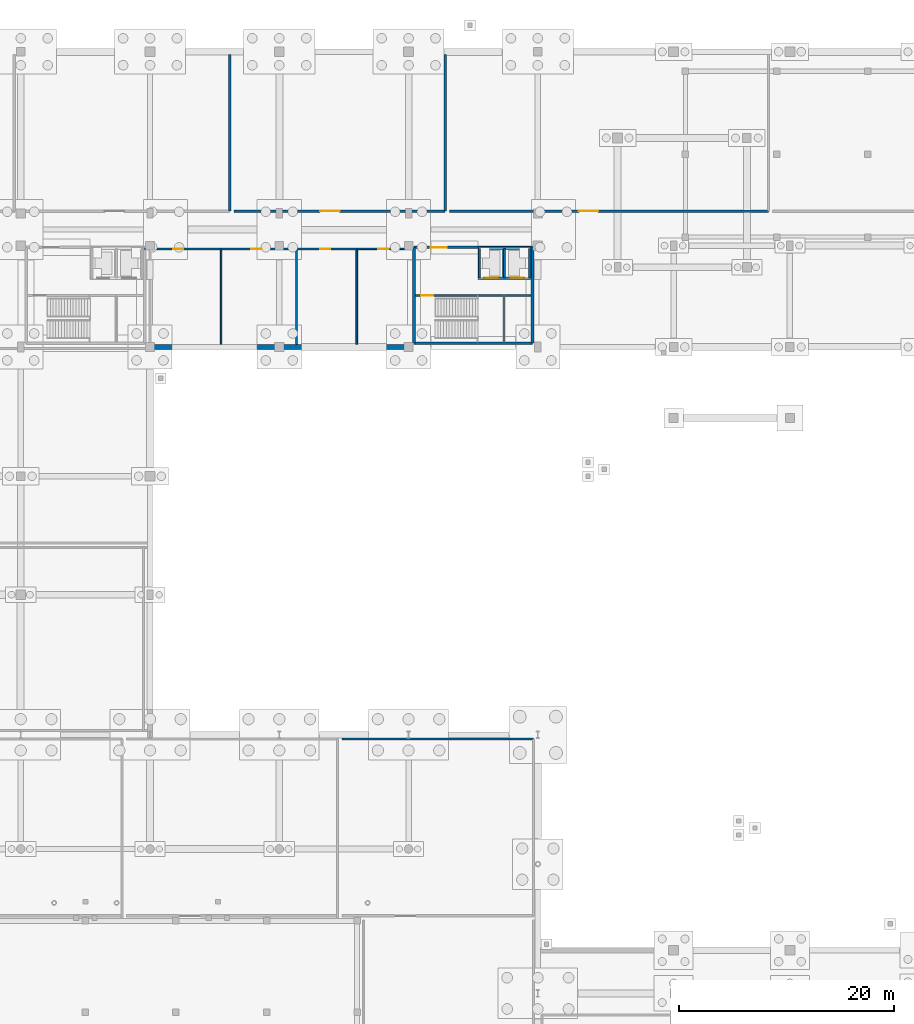
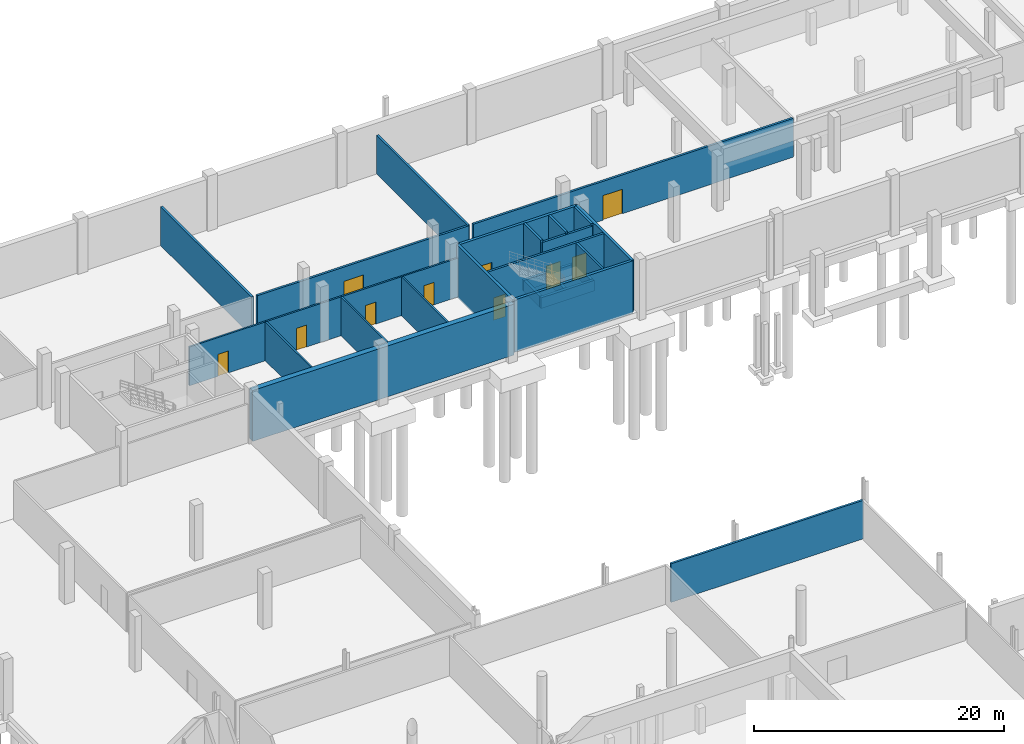
# One storey, part 31 of 42: 28 walls, 10 doors, 10 openings.
"""IFC4 building model written with IfcOpenShell, lengths in metres."""

from ifc_helpers import new_model, si_unit, direction, frame, frame_2d, origin, place, context, subcontext, project, spatial, rectangle, extrude, material, layer, layer_set, type_object, element, fill, save


model = new_model("IFC4")

# Units and contexts
model_context = context("Model", 3, precision=1e-05, world=origin(), true_north=direction((0.0, 1.0)))
body_context = subcontext(model_context, "Body", "Model", "MODEL_VIEW")
ifc_project = project(units=[si_unit("LENGTHUNIT", "METRE"), si_unit("AREAUNIT", "SQUARE_METRE"), si_unit("VOLUMEUNIT", "CUBIC_METRE"), si_unit("PLANEANGLEUNIT", "RADIAN"), si_unit("MASSUNIT", "GRAM", prefix="KILO"), si_unit("THERMODYNAMICTEMPERATUREUNIT", "KELVIN"), si_unit("POWERUNIT", "WATT")], contexts=[model_context])

# Site, building, storey
site_placement = place(None, origin())
site = spatial("IfcSite", under=ifc_project, at=site_placement, CompositionType="ELEMENT")
building_placement = place(site_placement, origin())
building = spatial("IfcBuilding", under=site, at=building_placement, Name="Solmara Park Aquatics Centre", CompositionType="ELEMENT")
storey_placement = place(building_placement, frame((0.0, 0.0, -5.39990234375)))
storey = spatial("IfcBuildingStorey", under=building, at=storey_placement, Name="B1", CompositionType="ELEMENT", Elevation=-5.39990234375)

# Wall
ifc_material_1 = material(Name="Concrete C40/50", Category="concrete")
ifc_layer_1 = layer(ifc_material_1, 0.25, Name="Concrete C40/50")
ifc_layer_set_1 = layer_set([ifc_layer_1], Name="Concrete C40/50")
wall_type_1 = type_object("IfcWallType", Name="ARC-WL-CORE250", PredefinedType="SHEAR", material=ifc_layer_set_1)
wall_1_placement = place(storey_placement, frame((85.10009765625, 108.949951171875, -0.150146484375), z_axis=(0.0, 0.0, 1.0), x_axis=(1.0, 0.0, 0.0)))
element("IfcWall", 1, at=wall_1_placement, inside=storey, type_object=wall_type_1, Name="CORE-2 Core Wall S B1", PredefinedType="SHEAR", context=body_context, shape_type="SweptSolid", body=[
    extrude(rectangle(XDim=11.0, YDim=0.25, at=frame_2d((5.5, 0.0))), origin(), (0.0, 0.0, 1.0), 5.130126953125),
])

# Wall, opening, door
wall_2_placement = place(storey_placement, frame((85.10009765625, 117.85009765625, -0.150146484375), z_axis=(0.0, 0.0, 1.0), x_axis=(1.0, 0.0, 0.0)))
wall_2 = element("IfcWall", 2, at=wall_2_placement, inside=storey, type_object=wall_type_1, Name="CORE-2 Core Wall N B1", PredefinedType="SHEAR", context=body_context, shape_type="SweptSolid", body=[
    extrude(rectangle(XDim=11.0, YDim=0.25, at=frame_2d((5.5, 0.0))), origin(), (0.0, 0.0, 1.0), 5.130126953125),
])
opening_1_placement = place(wall_2_placement, frame((1.550048828125, 0.0, 0.14990234375)))
opening_1 = element("IfcOpeningElement", 3, at=opening_1_placement, cuts=wall_2, Name="Opening D-12", PredefinedType="OPENING", context=body_context, shape_type="SweptSolid", body=[
    extrude(rectangle(XDim=1.5, YDim=2.199951171875, at=frame_2d((0.75, 1.10009765625))), frame((0.0, 0.135009765625, 0.0), z_axis=(0.0, -1.0, 0.0), x_axis=(1.0, 0.0, 0.0)), (0.0, 0.0, 1.0), 0.27001953125),
])
ifc_material_2 = material(Name="Moisture-Resistant HPL & Hardwood", Category="wood")
door_type_1 = type_object("IfcDoorType", Name="ARC-DR-FD150x220", OperationType="DOUBLE_DOOR_SINGLE_SWING", PredefinedType="DOOR", material=ifc_material_2)
door_1_placement = place(opening_1_placement, origin())
door_1 = element("IfcDoor", 4, at=door_1_placement, inside=storey, type_object=door_type_1, Name="CORE-2 Lobby Entry Fire Door B1", OperationType="DOUBLE_DOOR_SINGLE_SWING", OverallHeight=2.199951171875, OverallWidth=1.5, PredefinedType="DOOR", context=body_context, shape_type="SweptSolid", body=[
    extrude(rectangle(XDim=1.5, YDim=2.199951171875, at=frame_2d((0.75, 1.10009765625))), frame((0.0, 0.02490234375, 0.0), z_axis=(0.0, -1.0, 0.0), x_axis=(1.0, 0.0, 0.0)), (0.0, 0.0, 1.0), 0.050048828125),
])
fill(opening_1, door_1)

# Walls
for number, where, z_axis, x_axis, name in (
    (5, (85.10009765625, 108.949951171875, -0.150146484375), (0.0, 0.0, 1.0), (0.0, 1.0, 0.0), "CORE-2 Core Wall W B1"),
    (6, (96.10009765625, 108.949951171875, -0.150146484375), (0.0, 0.0, 1.0), (0.0, 1.0, 0.0), "CORE-2 Core Wall E B1"),
):
    element("IfcWall", number, at=place(storey_placement, frame(where, z_axis=z_axis, x_axis=x_axis)), inside=storey, type_object=wall_type_1, Name=name, PredefinedType="SHEAR", context=body_context, shape_type="SweptSolid", body=[
        extrude(rectangle(XDim=8.900146484375, YDim=0.25, at=frame_2d((4.4501953125, 0.0))), origin(), (0.0, 0.0, 1.0), 5.130126953125),
    ])

# Wall, openings, doors
ifc_material_3 = material(Name="Concrete C25/30 Autoclaved Aerated Fire Blockwork", Category="masonry")
ifc_layer_2 = layer(ifc_material_3, 0.199951171875, Name="Concrete C25/30 Autoclaved Aerated Fire Blockwork")
ifc_layer_set_2 = layer_set([ifc_layer_2], Name="Concrete C25/30 Autoclaved Aerated Fire Blockwork")
wall_type_2 = type_object("IfcWallType", Name="ARC-WL-FIRE200", PredefinedType="SOLIDWALL", material=ifc_layer_set_2)
wall_3_placement = place(storey_placement, frame((91.199951171875, 115.0, -0.150146484375), z_axis=(0.0, 0.0, 1.0), x_axis=(1.0, 0.0, 0.0)))
wall_3 = element("IfcWall", 7, at=wall_3_placement, inside=storey, type_object=wall_type_2, Name="CORE-2 Lift Shaft Front Wall B1", PredefinedType="SOLIDWALL", context=body_context, shape_type="SweptSolid", body=[
    extrude(rectangle(XDim=4.650146484375, YDim=0.199951171875, at=frame_2d((2.3251953125, 0.0))), origin(), (0.0, 0.0, 1.0), 4.929931640625),
])
opening_2_placement = place(wall_3_placement, frame((2.824951171875, 0.0, 0.14990234375)))
opening_2 = element("IfcOpeningElement", 8, at=opening_2_placement, cuts=wall_3, Name="Opening D-10", PredefinedType="OPENING", context=body_context, shape_type="SweptSolid", body=[
    extrude(rectangle(XDim=1.300048828125, YDim=2.300048828125, at=frame_2d((0.64990234375, 1.14990234375))), frame((0.0, 0.10986328125, 0.0), z_axis=(0.0, -1.0, 0.0), x_axis=(1.0, 0.0, 0.0)), (0.0, 0.0, 1.0), 0.219970703125),
])
opening_3_placement = place(wall_3_placement, frame((0.425048828125, 0.0, 0.14990234375)))
opening_3 = element("IfcOpeningElement", 9, at=opening_3_placement, cuts=wall_3, Name="Opening D-10", PredefinedType="OPENING", context=body_context, shape_type="SweptSolid", body=[
    extrude(rectangle(XDim=1.300048828125, YDim=2.300048828125, at=frame_2d((0.64990234375, 1.14990234375))), frame((0.0, 0.10986328125, 0.0), z_axis=(0.0, -1.0, 0.0), x_axis=(1.0, 0.0, 0.0)), (0.0, 0.0, 1.0), 0.219970703125),
])
ifc_material_4 = material(Name="Stainless Steel", Category="steel")
door_type_2 = type_object("IfcDoorType", Name="ARC-DR-LD130x230", OperationType="DOUBLE_DOOR_SLIDING", PredefinedType="DOOR", material=ifc_material_4)
door_2_placement = place(opening_2_placement, frame((1.300048828125, 0.0, 0.0), z_axis=(0.0, 0.0, 1.0), x_axis=(-1.0, 0.0, 0.0)))
door_2 = element("IfcDoor", 10, at=door_2_placement, inside=storey, type_object=door_type_2, Name="LF-03 Lift Landing Door B1", OperationType="DOUBLE_DOOR_SLIDING", OverallHeight=2.300048828125, OverallWidth=1.300048828125, PredefinedType="DOOR", context=body_context, shape_type="SweptSolid", body=[
    extrude(rectangle(XDim=1.300048828125, YDim=2.300048828125, at=frame_2d((0.64990234375, 1.14990234375))), frame((0.0, 0.02490234375, 0.0), z_axis=(0.0, -1.0, 0.0), x_axis=(1.0, 0.0, 0.0)), (0.0, 0.0, 1.0), 0.050048828125),
])
fill(opening_2, door_2)
door_3_placement = place(opening_3_placement, frame((1.300048828125, 0.0, 0.0), z_axis=(0.0, 0.0, 1.0), x_axis=(-1.0, 0.0, 0.0)))
door_3 = element("IfcDoor", 11, at=door_3_placement, inside=storey, type_object=door_type_2, Name="LF-04 Lift Landing Door B1", OperationType="DOUBLE_DOOR_SLIDING", OverallHeight=2.300048828125, OverallWidth=1.300048828125, PredefinedType="DOOR", context=body_context, shape_type="SweptSolid", body=[
    extrude(rectangle(XDim=1.300048828125, YDim=2.300048828125, at=frame_2d((0.64990234375, 1.14990234375))), frame((0.0, 0.02490234375, 0.0), z_axis=(0.0, -1.0, 0.0), x_axis=(1.0, 0.0, 0.0)), (0.0, 0.0, 1.0), 0.050048828125),
])
fill(opening_3, door_3)

# Walls
for number, where, z_axis, x_axis, name in (
    (12, (93.5, 115.0, -0.150146484375), (0.0, 0.0, 1.0), (0.0, 1.0, 0.0), "LF-03 Lift Shaft W Wall B1"),
    (13, (95.85009765625, 115.0, -0.150146484375), (0.0, 0.0, 1.0), (0.0, 1.0, 0.0), "LF-03 Lift Shaft E Wall B1"),
    (14, (91.199951171875, 115.0, -0.150146484375), (0.0, 0.0, 1.0), (0.0, 1.0, 0.0), "LF-04 Lift Shaft W Wall B1"),
):
    element("IfcWall", number, at=place(storey_placement, frame(where, z_axis=z_axis, x_axis=x_axis)), inside=storey, type_object=wall_type_2, Name=name, PredefinedType="SOLIDWALL", context=body_context, shape_type="SweptSolid", body=[
        extrude(rectangle(XDim=2.75, YDim=0.199951171875, at=frame_2d((1.375, 0.0))), origin(), (0.0, 0.0, 1.0), 5.130126953125),
    ])
wall_4_placement = place(storey_placement, frame((78.39990234375, 72.199951171875, 0.0), z_axis=(0.0, 0.0, 1.0), x_axis=(1.0, 0.0, 0.0)))
element("IfcWall", 15, at=wall_4_placement, inside=storey, type_object=wall_type_2, Name="Interior Partition IW-B1-0010 (B1-PLT-03)", PredefinedType="SOLIDWALL", context=body_context, shape_type="SweptSolid", body=[
    extrude(rectangle(XDim=17.800048828125, YDim=0.199951171875, at=frame_2d((8.89990234375, 0.0))), origin(), (0.0, 0.0, 1.0), 3.77978515625),
])
wall_5_placement = place(storey_placement, frame((68.0, 121.199951171875, 0.0), z_axis=(0.0, 0.0, 1.0), x_axis=(0.0, 1.0, 0.0)))
element("IfcWall", 16, at=wall_5_placement, inside=storey, type_object=wall_type_2, Name="Interior Partition IW-B1-0035 (B1-GEN-01)", PredefinedType="SOLIDWALL", context=body_context, shape_type="SweptSolid", body=[
    extrude(rectangle(XDim=14.550048828125, YDim=0.199951171875, at=frame_2d((7.27490234375, 0.0))), origin(), (0.0, 0.0, 1.0), 3.7998046875),
])

# Wall, opening, door
wall_6_placement = place(storey_placement, frame((68.39990234375, 121.199951171875, 0.0), z_axis=(0.0, 0.0, 1.0), x_axis=(1.0, 0.0, 0.0)))
wall_6 = element("IfcWall", 17, at=wall_6_placement, inside=storey, type_object=wall_type_2, Name="Interior Partition IW-B1-0036 (B1-FIR-01)", PredefinedType="SOLIDWALL", context=body_context, shape_type="SweptSolid", body=[
    extrude(rectangle(XDim=19.60009765625, YDim=0.199951171875, at=frame_2d((9.800048828125, 0.0))), origin(), (0.0, 0.0, 1.0), 3.7998046875),
])
opening_4_placement = place(wall_6_placement, frame((8.0, 0.0, 0.0)))
opening_4 = element("IfcOpeningElement", 18, at=opening_4_placement, cuts=wall_6, Name="Opening D-14", PredefinedType="OPENING", context=body_context, shape_type="SweptSolid", body=[
    extrude(rectangle(XDim=1.800048828125, YDim=2.39990234375, at=frame_2d((0.89990234375, 1.199951171875))), frame((0.0, 0.10986328125, 0.0), z_axis=(0.0, -1.0, 0.0), x_axis=(1.0, 0.0, 0.0)), (0.0, 0.0, 1.0), 0.219970703125),
])
door_type_3 = type_object("IfcDoorType", Name="ARC-DR-PLT180x240", OperationType="DOUBLE_DOOR_SINGLE_SWING", PredefinedType="DOOR", material=ifc_material_4)
door_4_placement = place(opening_4_placement, frame((1.800048828125, 0.0, 0.0), z_axis=(0.0, 0.0, 1.0), x_axis=(-1.0, 0.0, 0.0)))
door_4 = element("IfcDoor", 19, at=door_4_placement, inside=storey, type_object=door_type_3, Name="Fire Sprinkler Tank, Electric/Diesel Fire Pump Room Door", OperationType="DOUBLE_DOOR_SINGLE_SWING", OverallHeight=2.39990234375, OverallWidth=1.800048828125, PredefinedType="DOOR", context=body_context, shape_type="SweptSolid", body=[
    extrude(rectangle(XDim=1.800048828125, YDim=2.39990234375, at=frame_2d((0.89990234375, 1.199951171875))), frame((0.0, 0.02490234375, 0.0), z_axis=(0.0, -1.0, 0.0), x_axis=(1.0, 0.0, 0.0)), (0.0, 0.0, 1.0), 0.050048828125),
])
fill(opening_4, door_4)

# Wall
wall_7_placement = place(storey_placement, frame((88.0, 121.199951171875, 0.0), z_axis=(0.0, 0.0, 1.0), x_axis=(0.0, 1.0, 0.0)))
element("IfcWall", 20, at=wall_7_placement, inside=storey, type_object=wall_type_2, Name="Interior Partition IW-B1-0037 (B1-FIR-01)", PredefinedType="SOLIDWALL", context=body_context, shape_type="SweptSolid", body=[
    extrude(rectangle(XDim=14.550048828125, YDim=0.199951171875, at=frame_2d((7.27490234375, 0.0))), origin(), (0.0, 0.0, 1.0), 3.7998046875),
])

# Wall, opening, door
wall_8_placement = place(storey_placement, frame((88.39990234375, 121.199951171875, 0.0), z_axis=(0.0, 0.0, 1.0), x_axis=(1.0, 0.0, 0.0)))
wall_8 = element("IfcWall", 21, at=wall_8_placement, inside=storey, type_object=wall_type_2, Name="Interior Partition IW-B1-0038 (B1-CHL-01)", PredefinedType="SOLIDWALL", context=body_context, shape_type="SweptSolid", body=[
    extrude(rectangle(XDim=29.60009765625, YDim=0.199951171875, at=frame_2d((14.800048828125, 0.0))), origin(), (0.0, 0.0, 1.0), 3.7998046875),
])
opening_5_placement = place(wall_8_placement, frame((12.0, 0.0, 0.0)))
opening_5 = element("IfcOpeningElement", 22, at=opening_5_placement, cuts=wall_8, Name="Opening D-14", PredefinedType="OPENING", context=body_context, shape_type="SweptSolid", body=[
    extrude(rectangle(XDim=1.800048828125, YDim=2.39990234375, at=frame_2d((0.89990234375, 1.199951171875))), frame((0.0, 0.10986328125, 0.0), z_axis=(0.0, -1.0, 0.0), x_axis=(1.0, 0.0, 0.0)), (0.0, 0.0, 1.0), 0.219970703125),
])
door_5_placement = place(opening_5_placement, frame((1.800048828125, 0.0, 0.0), z_axis=(0.0, 0.0, 1.0), x_axis=(-1.0, 0.0, 0.0)))
door_5 = element("IfcDoor", 23, at=door_5_placement, inside=storey, type_object=door_type_3, Name="District Cooling Heat-Exchanger and Solar Thermal Recovery Plant Door", OperationType="DOUBLE_DOOR_SINGLE_SWING", OverallHeight=2.39990234375, OverallWidth=1.800048828125, PredefinedType="DOOR", context=body_context, shape_type="SweptSolid", body=[
    extrude(rectangle(XDim=1.800048828125, YDim=2.39990234375, at=frame_2d((0.89990234375, 1.199951171875))), frame((0.0, 0.02490234375, 0.0), z_axis=(0.0, -1.0, 0.0), x_axis=(1.0, 0.0, 0.0)), (0.0, 0.0, 1.0), 0.050048828125),
])
fill(opening_5, door_5)

ifc_material_5 = material(Name="Cement-Rendered Masonry Partition", Category="masonry")
ifc_layer_3 = layer(ifc_material_5, 0.14990234375, Name="Cement-Rendered Masonry Partition")
ifc_layer_set_3 = layer_set([ifc_layer_3], Name="Cement-Rendered Masonry Partition")
wall_type_3 = type_object("IfcWallType", Name="ARC-WL-MAS150", PredefinedType="PARTITIONING", material=ifc_layer_set_3)
wall_9_placement = place(storey_placement, frame((79.81005859375, 117.699951171875, 0.0), z_axis=(0.0, 0.0, 1.0), x_axis=(1.0, 0.0, 0.0)))
wall_9 = element("IfcWall", 24, at=wall_9_placement, inside=storey, type_object=wall_type_3, Name="Interior Partition IW-B1-0048 (B1-CLN-01)", PredefinedType="PARTITIONING", context=body_context, shape_type="SweptSolid", body=[
    extrude(rectangle(XDim=5.1650390625, YDim=0.14990234375, at=frame_2d((2.58251953125, 0.0))), origin(), (0.0, 0.0, 1.0), 3.7998046875),
])
opening_6_placement = place(wall_9_placement, frame((1.989990234375, 0.0, 0.0)))
opening_6 = element("IfcOpeningElement", 25, at=opening_6_placement, cuts=wall_9, Name="Opening D-17", PredefinedType="OPENING", context=body_context, shape_type="SweptSolid", body=[
    extrude(rectangle(XDim=0.949951171875, YDim=2.199951171875, at=frame_2d((0.47509765625, 1.10009765625))), frame((0.0, 0.0849609375, 0.0), z_axis=(0.0, -1.0, 0.0), x_axis=(1.0, 0.0, 0.0)), (0.0, 0.0, 1.0), 0.169921875),
])
door_type_4 = type_object("IfcDoorType", Name="ARC-DR-SGL95x220", OperationType="NOTDEFINED", PredefinedType="DOOR", material=ifc_material_2)
door_6_placement = place(opening_6_placement, origin())
door_6 = element("IfcDoor", 26, at=door_6_placement, inside=storey, type_object=door_type_4, Name="Basement Chemical Testing Lab and Janitor Store Door", OperationType="SINGLE_SWING_LEFT", OverallHeight=2.199951171875, OverallWidth=0.949951171875, PredefinedType="DOOR", context=body_context, shape_type="SweptSolid", body=[
    extrude(rectangle(XDim=0.949951171875, YDim=2.199951171875, at=frame_2d((0.47509765625, 1.10009765625))), frame((0.0, 0.02490234375, 0.0), z_axis=(0.0, -1.0, 0.0), x_axis=(1.0, 0.0, 0.0)), (0.0, 0.0, 1.0), 0.050048828125),
])
fill(opening_6, door_6)

# Wall
ifc_material_6 = material(Name="Waterproof Tile-Faced Wet-Area Plumbing Wall", Category="concrete")
ifc_layer_4 = layer(ifc_material_6, 0.159912109375, Name="Waterproof Tile-Faced Wet-Area Plumbing Wall")
ifc_layer_set_4 = layer_set([ifc_layer_4], Name="Waterproof Tile-Faced Wet-Area Plumbing Wall")
wall_type_4 = type_object("IfcWallType", Name="ARC-WL-WET160", PredefinedType="PLUMBINGWALL", material=ifc_layer_set_4)
wall_10_placement = place(storey_placement, frame((67.199951171875, 108.85009765625, 0.0), z_axis=(0.0, 0.0, 1.0), x_axis=(0.0, 1.0, 0.0)))
element("IfcWall", 27, at=wall_10_placement, inside=storey, type_object=wall_type_4, Name="Interior Partition IW-B1-0042 (B1-WCM-01)", PredefinedType="PLUMBINGWALL", context=body_context, shape_type="SweptSolid", body=[
    extrude(rectangle(XDim=8.849853515625, YDim=0.159912109375, at=frame_2d((4.4248046875, 0.0))), origin(), (0.0, 0.0, 1.0), 3.7998046875),
])

# Wall, opening, door
wall_11_placement = place(storey_placement, frame((60.110107421875, 117.699951171875, 0.0), z_axis=(0.0, 0.0, 1.0), x_axis=(1.0, 0.0, 0.0)))
wall_11 = element("IfcWall", 28, at=wall_11_placement, inside=storey, type_object=wall_type_4, Name="Interior Partition IW-B1-0043 (B1-WCM-01)", PredefinedType="PLUMBINGWALL", context=body_context, shape_type="SweptSolid", body=[
    extrude(rectangle(XDim=7.08984375, YDim=0.159912109375, at=frame_2d((3.544921875, 0.0))), origin(), (0.0, 0.0, 1.0), 3.7998046875),
])
opening_7_placement = place(wall_11_placement, frame((2.639892578125, 0.0, 0.0)))
opening_7 = element("IfcOpeningElement", 29, at=opening_7_placement, cuts=wall_11, Name="Opening D-18", PredefinedType="OPENING", context=body_context, shape_type="SweptSolid", body=[
    extrude(rectangle(XDim=0.949951171875, YDim=2.14990234375, at=frame_2d((0.47509765625, 1.074951171875))), frame((0.0, 0.08984375, 0.0), z_axis=(0.0, -1.0, 0.0), x_axis=(1.0, 0.0, 0.0)), (0.0, 0.0, 1.0), 0.179931640625),
])
door_type_5 = type_object("IfcDoorType", Name="ARC-DR-WC95x220", OperationType="NOTDEFINED", PredefinedType="DOOR", material=ifc_material_2)
door_7_placement = place(opening_7_placement, origin())
door_7 = element("IfcDoor", 30, at=door_7_placement, inside=storey, type_object=door_type_5, Name="Basement Staff Male Toilet Door", OperationType="SINGLE_SWING_RIGHT", OverallHeight=2.14990234375, OverallWidth=0.949951171875, PredefinedType="DOOR", context=body_context, shape_type="SweptSolid", body=[
    extrude(rectangle(XDim=0.949951171875, YDim=2.14990234375, at=frame_2d((0.47509765625, 1.074951171875))), frame((0.0, 0.02490234375, 0.0), z_axis=(0.0, -1.0, 0.0), x_axis=(1.0, 0.0, 0.0)), (0.0, 0.0, 1.0), 0.050048828125),
])
fill(opening_7, door_7)

# Wall
wall_12_placement = place(storey_placement, frame((74.199951171875, 108.85009765625, 0.0), z_axis=(0.0, 0.0, 1.0), x_axis=(0.0, 1.0, 0.0)))
element("IfcWall", 31, at=wall_12_placement, inside=storey, type_object=wall_type_4, Name="Interior Partition IW-B1-0044 (B1-WCF-01)", PredefinedType="PLUMBINGWALL", context=body_context, shape_type="SweptSolid", body=[
    extrude(rectangle(XDim=8.849853515625, YDim=0.159912109375, at=frame_2d((4.4248046875, 0.0))), origin(), (0.0, 0.0, 1.0), 3.7998046875),
])

# Wall, opening, door
wall_13_placement = place(storey_placement, frame((67.2099609375, 117.699951171875, 0.0), z_axis=(0.0, 0.0, 1.0), x_axis=(1.0, 0.0, 0.0)))
wall_13 = element("IfcWall", 32, at=wall_13_placement, inside=storey, type_object=wall_type_4, Name="Interior Partition IW-B1-0045 (B1-WCF-01)", PredefinedType="PLUMBINGWALL", context=body_context, shape_type="SweptSolid", body=[
    extrude(rectangle(XDim=6.989990234375, YDim=0.159912109375, at=frame_2d((3.4951171875, 0.0))), origin(), (0.0, 0.0, 1.0), 3.7998046875),
])
opening_8_placement = place(wall_13_placement, frame((2.7900390625, 0.0, 0.0)))
opening_8 = element("IfcOpeningElement", 33, at=opening_8_placement, cuts=wall_13, Name="Opening D-18", PredefinedType="OPENING", context=body_context, shape_type="SweptSolid", body=[
    extrude(rectangle(XDim=0.949951171875, YDim=2.14990234375, at=frame_2d((0.47509765625, 1.074951171875))), frame((0.0, 0.08984375, 0.0), z_axis=(0.0, -1.0, 0.0), x_axis=(1.0, 0.0, 0.0)), (0.0, 0.0, 1.0), 0.179931640625),
])
door_8_placement = place(opening_8_placement, origin())
door_8 = element("IfcDoor", 34, at=door_8_placement, inside=storey, type_object=door_type_5, Name="Basement Staff Female Toilet Door", OperationType="SINGLE_SWING_LEFT", OverallHeight=2.14990234375, OverallWidth=0.949951171875, PredefinedType="DOOR", context=body_context, shape_type="SweptSolid", body=[
    extrude(rectangle(XDim=0.949951171875, YDim=2.14990234375, at=frame_2d((0.47509765625, 1.074951171875))), frame((0.0, 0.02490234375, 0.0), z_axis=(0.0, -1.0, 0.0), x_axis=(1.0, 0.0, 0.0)), (0.0, 0.0, 1.0), 0.050048828125),
])
fill(opening_8, door_8)

# Wall
wall_14_placement = place(storey_placement, frame((79.800048828125, 108.85009765625, 0.0), z_axis=(0.0, 0.0, 1.0), x_axis=(0.0, 1.0, 0.0)))
element("IfcWall", 35, at=wall_14_placement, inside=storey, type_object=wall_type_4, Name="Interior Partition IW-B1-0046 (B1-WCA-01)", PredefinedType="PLUMBINGWALL", context=body_context, shape_type="SweptSolid", body=[
    extrude(rectangle(XDim=8.849853515625, YDim=0.159912109375, at=frame_2d((4.4248046875, 0.0))), origin(), (0.0, 0.0, 1.0), 3.7998046875),
])

# Wall, opening, door
wall_15_placement = place(storey_placement, frame((74.2099609375, 117.699951171875, 0.0), z_axis=(0.0, 0.0, 1.0), x_axis=(1.0, 0.0, 0.0)))
wall_15 = element("IfcWall", 36, at=wall_15_placement, inside=storey, type_object=wall_type_4, Name="Interior Partition IW-B1-0047 (B1-WCA-01)", PredefinedType="PLUMBINGWALL", context=body_context, shape_type="SweptSolid", body=[
    extrude(rectangle(XDim=5.590087890625, YDim=0.159912109375, at=frame_2d((2.794921875, 0.0))), origin(), (0.0, 0.0, 1.0), 3.7998046875),
])
opening_9_placement = place(wall_15_placement, frame((2.18994140625, 0.0, 0.0)))
opening_9 = element("IfcOpeningElement", 37, at=opening_9_placement, cuts=wall_15, Name="Opening D-18", PredefinedType="OPENING", context=body_context, shape_type="SweptSolid", body=[
    extrude(rectangle(XDim=0.949951171875, YDim=2.14990234375, at=frame_2d((0.47509765625, 1.074951171875))), frame((0.0, 0.08984375, 0.0), z_axis=(0.0, -1.0, 0.0), x_axis=(1.0, 0.0, 0.0)), (0.0, 0.0, 1.0), 0.179931640625),
])
door_9_placement = place(opening_9_placement, origin())
door_9 = element("IfcDoor", 38, at=door_9_placement, inside=storey, type_object=door_type_5, Name="Basement Accessible WC Door", OperationType="SINGLE_SWING_RIGHT", OverallHeight=2.14990234375, OverallWidth=0.949951171875, PredefinedType="DOOR", context=body_context, shape_type="SweptSolid", body=[
    extrude(rectangle(XDim=0.949951171875, YDim=2.14990234375, at=frame_2d((0.47509765625, 1.074951171875))), frame((0.0, 0.02490234375, 0.0), z_axis=(0.0, -1.0, 0.0), x_axis=(1.0, 0.0, 0.0)), (0.0, 0.0, 1.0), 0.050048828125),
])
fill(opening_9, door_9)

# Walls
ifc_layer_5 = layer(ifc_material_1, 0.25, Name="Concrete C40/50")
ifc_layer_set_5 = layer_set([ifc_layer_5], Name="Concrete C40/50")
wall_type_5 = type_object("IfcWallType", Name="STR-WL-CORE250", PredefinedType="SHEAR", material=ifc_layer_set_5)
for number, where, z_axis, x_axis, name in (
    (39, (91.050048828125, 114.97509765625, -1.60009765625), (0.0, 0.0, 1.0), (1.0, 0.0, 0.0), "Lift Shaft LF-03 and LF-04 Pit Wall S"),
    (40, (91.050048828125, 117.77490234375, -1.60009765625), (0.0, 0.0, 1.0), (1.0, 0.0, 0.0), "Lift Shaft LF-03 and LF-04 Pit Wall N"),
):
    element("IfcWall", number, at=place(storey_placement, frame(where, z_axis=z_axis, x_axis=x_axis)), inside=storey, type_object=wall_type_5, Name=name, PredefinedType="SHEAR", context=body_context, shape_type="SweptSolid", body=[
        extrude(rectangle(XDim=4.929931640625, YDim=0.25, at=frame_2d((2.46484375, 0.0))), origin(), (0.0, 0.0, 1.0), 1.050048828125),
    ])
for number, where, z_axis, x_axis, name in (
    (41, (91.175048828125, 115.110107421875, -1.60009765625), (0.0, 0.0, 1.0), (0.0, 1.0, 0.0), "Lift Shaft LF-03 and LF-04 Pit Wall W"),
    (42, (95.864990234375, 115.110107421875, -1.60009765625), (0.0, 0.0, 1.0), (0.0, 1.0, 0.0), "Lift Shaft LF-03 and LF-04 Pit Wall E"),
    (43, (93.425048828125, 115.110107421875, -1.60009765625), (0.0, 0.0, 1.0), (0.0, 1.0, 0.0), "Lift Shaft LF-03 and LF-04 Pit Wall DIV"),
):
    element("IfcWall", number, at=place(storey_placement, frame(where, z_axis=z_axis, x_axis=x_axis)), inside=storey, type_object=wall_type_5, Name=name, PredefinedType="SHEAR", context=body_context, shape_type="SweptSolid", body=[
        extrude(rectangle(XDim=2.52978515625, YDim=0.25, at=frame_2d((1.264892578125, 0.0))), origin(), (0.0, 0.0, 1.0), 1.050048828125),
    ])
ifc_material_7 = material(Name="Watertight Concrete C45/55", Category="concrete")
ifc_layer_6 = layer(ifc_material_7, 0.5, Name="Watertight Concrete C45/55")
ifc_layer_set_6 = layer_set([ifc_layer_6], Name="Watertight Concrete C45/55")
wall_type_6 = type_object("IfcWallType", Name="STR-WL-RET500", PredefinedType="USERDEFINED", material=ifc_layer_set_6)
wall_16_placement = place(storey_placement, frame((60.60009765625, 108.60009765625, 0.0), z_axis=(0.0, 0.0, 1.0), x_axis=(1.0, 0.0, 0.0)))
element("IfcWall", 44, at=wall_16_placement, inside=storey, type_object=wall_type_6, Name="Basement Perimeter Retaining Wall 09", ObjectType="RETAINING WALL", PredefinedType="USERDEFINED", context=body_context, shape_type="SweptSolid", body=[
    extrude(rectangle(XDim=24.199951171875, YDim=0.5, at=frame_2d((12.10009765625, 0.0))), origin(), (0.0, 0.0, 1.0), 4.97998046875),
])

# Wall, opening, door
ifc_material_8 = material(Name="Concrete C35/45", Category="concrete")
ifc_layer_7 = layer(ifc_material_8, 0.199951171875, Name="Concrete C35/45")
ifc_layer_set_7 = layer_set([ifc_layer_7], Name="Concrete C35/45")
wall_type_7 = type_object("IfcWallType", Name="STR-WL-STAIR200", PredefinedType="SHEAR", material=ifc_layer_set_7)
wall_17_placement = place(storey_placement, frame((85.219970703125, 113.375, -0.150146484375), z_axis=(0.0, 0.0, 1.0), x_axis=(1.0, 0.0, 0.0)))
wall_17 = element("IfcWall", 45, at=wall_17_placement, inside=storey, type_object=wall_type_7, Name="CORE-2 Stairwell Compartment Wall B1", PredefinedType="SHEAR", context=body_context, shape_type="SweptSolid", body=[
    extrude(rectangle(XDim=10.760009765625, YDim=0.199951171875, at=frame_2d((5.3798828125, 0.0))), origin(), (0.0, 0.0, 1.0), 5.130126953125),
])
opening_10_placement = place(wall_17_placement, frame((0.580078125, 0.0, 0.14990234375)))
opening_10 = element("IfcOpeningElement", 46, at=opening_10_placement, cuts=wall_17, Name="Opening D-11", PredefinedType="OPENING", context=body_context, shape_type="SweptSolid", body=[
    extrude(rectangle(XDim=1.10009765625, YDim=2.199951171875, at=frame_2d((0.550048828125, 1.10009765625))), frame((0.0, 0.10986328125, 0.0), z_axis=(0.0, -1.0, 0.0), x_axis=(1.0, 0.0, 0.0)), (0.0, 0.0, 1.0), 0.219970703125),
])
door_type_6 = type_object("IfcDoorType", Name="ARC-DR-FD110x220", OperationType="NOTDEFINED", PredefinedType="DOOR", material=ifc_material_2)
door_10_placement = place(opening_10_placement, origin())
door_10 = element("IfcDoor", 47, at=door_10_placement, inside=storey, type_object=door_type_6, Name="ST-02 Fire Door B1", OperationType="SINGLE_SWING_LEFT", OverallHeight=2.199951171875, OverallWidth=1.10009765625, PredefinedType="DOOR", context=body_context, shape_type="SweptSolid", body=[
    extrude(rectangle(XDim=1.10009765625, YDim=2.199951171875, at=frame_2d((0.550048828125, 1.10009765625))), frame((0.0, 0.02490234375, 0.0), z_axis=(0.0, -1.0, 0.0), x_axis=(1.0, 0.0, 0.0)), (0.0, 0.0, 1.0), 0.050048828125),
])
fill(opening_10, door_10)

# Wall
wall_18_placement = place(storey_placement, frame((93.4599609375, 109.070068359375, -0.150146484375), z_axis=(0.0, 0.0, 1.0), x_axis=(0.0, 1.0, 0.0)))
element("IfcWall", 48, at=wall_18_placement, inside=storey, type_object=wall_type_7, Name="CORE-2 Stairwell East End Wall B1", PredefinedType="SHEAR", context=body_context, shape_type="SweptSolid", body=[
    extrude(rectangle(XDim=4.204833984375, YDim=0.199951171875, at=frame_2d((2.1025390625, 0.0))), origin(), (0.0, 0.0, 1.0), 5.130126953125),
])

save(model, "model.ifc")
